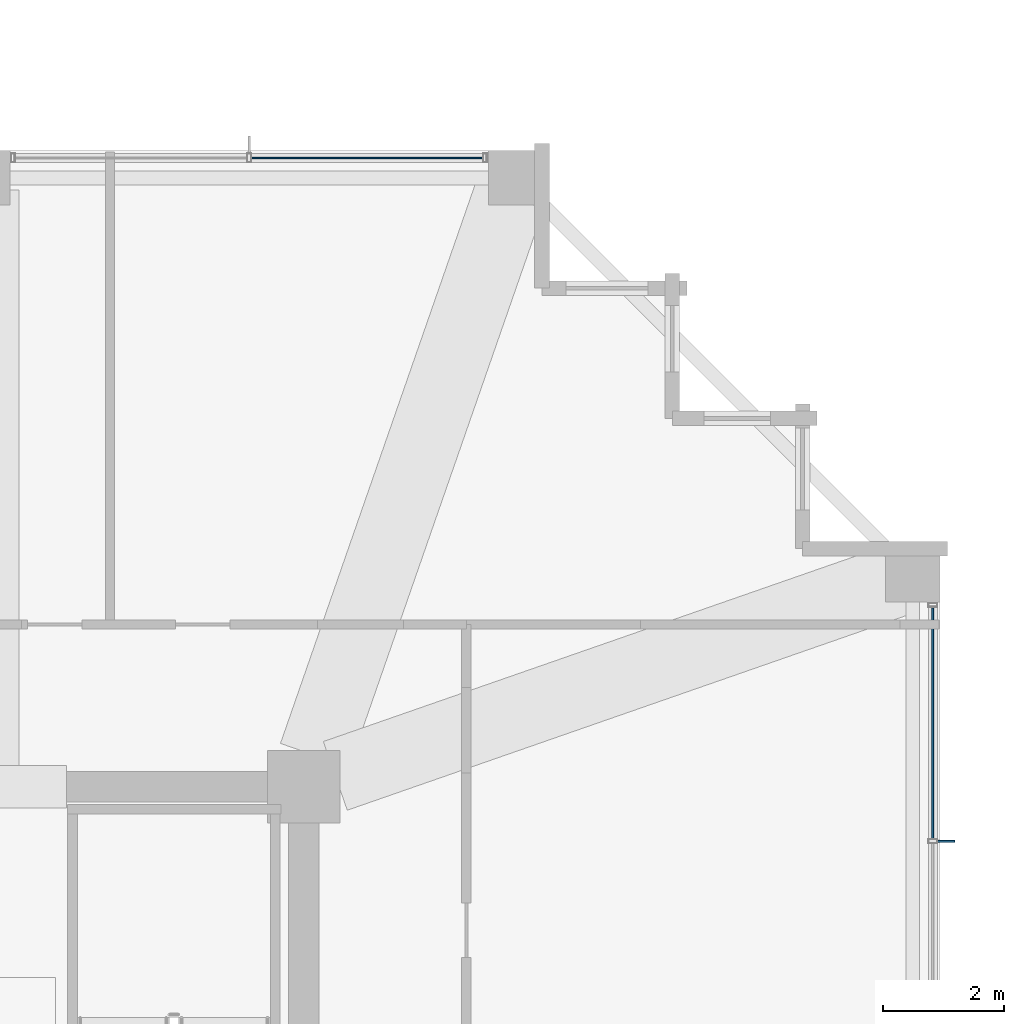
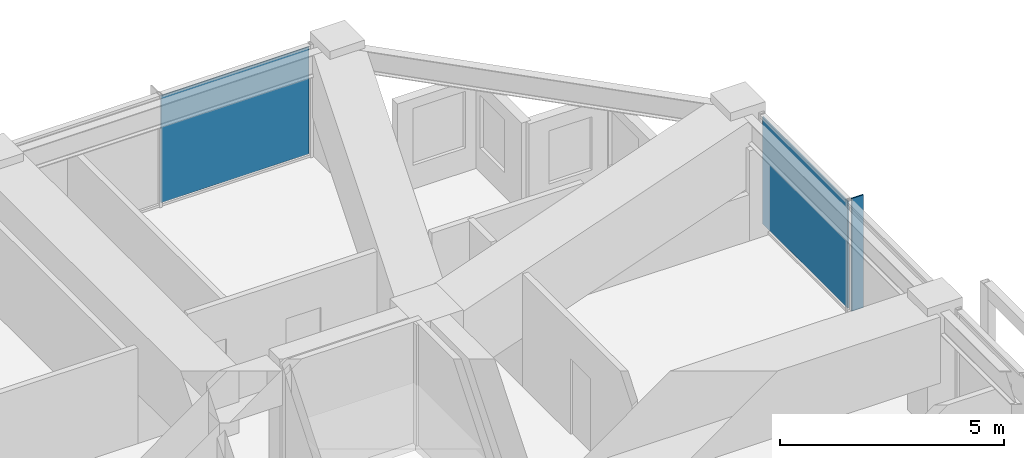
# One storey, part 30 of 37: 3 plates, 2 elements without a shape of their own.
"""IFC4 building model written with IfcOpenShell, lengths in metres."""

from ifc_helpers import new_model, si_unit, direction, frame, origin, origin_2d, place, context, subcontext, project, spatial, rectangle, extrude, material, layer, layer_set, type_object, element, aggregate, save


model = new_model("IFC4")

# Units and contexts
model_context = context("Model", 3, precision=1e-05, world=origin(), true_north=direction((0.0, 1.0)))
body_context = subcontext(model_context, "Body", "Model", "MODEL_VIEW")
ifc_project = project(units=[si_unit("LENGTHUNIT", "METRE"), si_unit("AREAUNIT", "SQUARE_METRE"), si_unit("VOLUMEUNIT", "CUBIC_METRE"), si_unit("PLANEANGLEUNIT", "RADIAN"), si_unit("MASSUNIT", "GRAM", prefix="KILO")], contexts=[model_context])

# Site, building, storey
site_placement = place(None, origin())
site = spatial("IfcSite", under=ifc_project, at=site_placement, CompositionType="ELEMENT")
building_placement = place(site_placement, origin())
building = spatial("IfcBuilding", under=site, at=building_placement, Name="Kolvaren Belvedere", CompositionType="ELEMENT")
storey_placement = place(building_placement, frame((0.0, 0.0, 186.60009765625)))
storey = spatial("IfcBuildingStorey", under=building, at=storey_placement, Name="L54", CompositionType="ELEMENT", Elevation=186.60009765625)

# Curtain wall, plate
ifc_material_1 = material(Name="Anodised pale-metal aluminium AA 6063-T6", Category="aluminium")
curtain_wall_type = type_object("IfcCurtainWallType", Name="CW-Z5-HIGH", PredefinedType="NOTDEFINED", material=ifc_material_1)
curtain_wall_1_placement = place(storey_placement, origin())
curtain_wall_1 = element("IfcCurtainWall", 1, at=curtain_wall_1_placement, inside=storey, type_object=curtain_wall_type, Name="L54 Unitised Curtain Wall FCW-L54-E-B1", PredefinedType="NOTDEFINED")
ifc_material_2 = material(Name="Low-iron triple insulated glass", Category="glass")
ifc_layer_1 = layer(ifc_material_2, 0.028076171875)
ifc_layer_set_1 = layer_set([ifc_layer_1], Name="Low-iron triple insulated glass")
plate_type_1 = type_object("IfcPlateType", Name="CW-PNL-VIS28", PredefinedType="CURTAIN_PANEL", material=ifc_layer_set_1)
plate_1_placement = place(storey_placement, frame((20.280029296875, 10.947509765625, 0.079833984375), z_axis=(0.0, 0.0, 1.0), x_axis=(0.0, -1.0, 0.0)))
plate_1 = element("IfcPlate", 2, at=plate_1_placement, type_object=plate_type_1, Name="FCW-L54-E-B1 Vision Glazing Panel 1", PredefinedType="CURTAIN_PANEL", context=body_context, shape_type="SweptSolid", body=[
    extrude(rectangle(XDim=3.81494140625, YDim=0.028076171875, at=origin_2d()), origin(), (0.0, 0.0, 1.0), 2.919921875),
])
aggregate(curtain_wall_1, [plate_1])

curtain_wall_2_placement = place(storey_placement, origin())
curtain_wall_2 = element("IfcCurtainWall", 3, at=curtain_wall_2_placement, inside=storey, type_object=curtain_wall_type, Name="L54 Unitised Curtain Wall FCW-L54-N2-B2", PredefinedType="NOTDEFINED")
plate_2_placement = place(storey_placement, frame((10.947509765625, 20.280029296875, 0.079833984375), z_axis=(0.0, 0.0, 1.0), x_axis=(1.0, 0.0, 0.0)))
plate_2 = element("IfcPlate", 4, at=plate_2_placement, type_object=plate_type_1, Name="FCW-L54-N2-B2 Vision Glazing Panel 2", PredefinedType="CURTAIN_PANEL", context=body_context, shape_type="SweptSolid", body=[
    extrude(rectangle(XDim=3.81494140625, YDim=0.028076171875, at=origin_2d()), origin(), (0.0, 0.0, 1.0), 2.919921875),
])
aggregate(curtain_wall_2, [plate_2])

# Plate
ifc_material_3 = material(Name="Anodised pale-metal aluminium AA 6063-T6", Category="aluminium")
ifc_layer_2 = layer(ifc_material_3, 0.030029296875)
ifc_layer_set_2 = layer_set([ifc_layer_2], Name="Anodised pale-metal aluminium AA 6063-T6")
plate_type_2 = type_object("IfcPlateType", Name="FIN-VERT-300", PredefinedType="USERDEFINED", material=ifc_layer_set_2)
plate_3_placement = place(storey_placement, frame((20.489990234375, 9.0, -0.000244140625), z_axis=(0.0, 0.0, 1.0), x_axis=(1.0, 0.0, 0.0)))
element("IfcPlate", 5, at=plate_3_placement, inside=storey, type_object=plate_type_2, Name="L54 Pale-Metal Vertical Shading Fin FCW-L54-E-B1-1", ObjectType="VERTICAL FIN", PredefinedType="USERDEFINED", context=body_context, shape_type="SweptSolid", body=[
    extrude(rectangle(XDim=0.300048828125, YDim=0.030029296875, at=origin_2d()), origin(), (0.0, 0.0, 1.0), 3.080078125),
])

save(model, "model.ifc")
